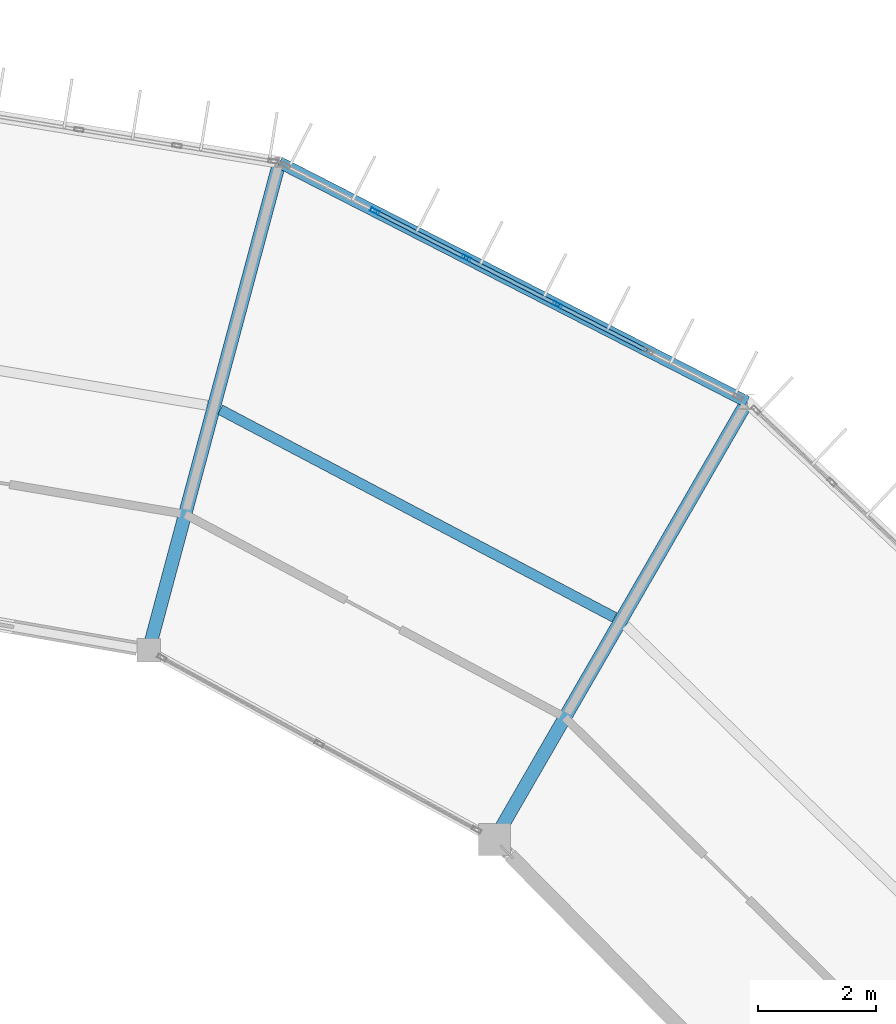
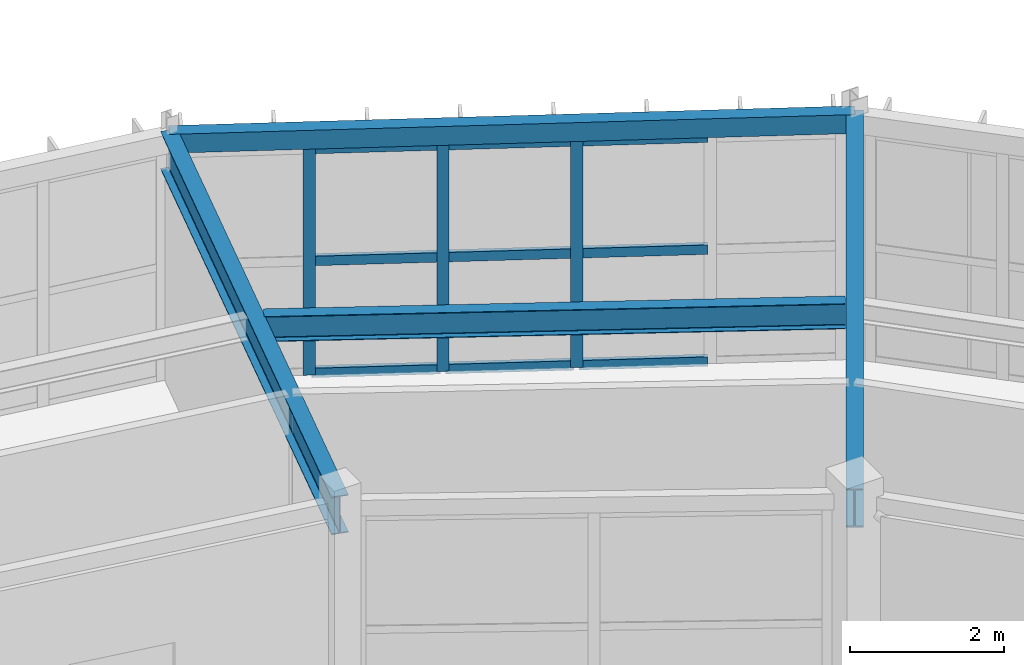
# One storey, part 100 of 157: 12 members, 4 beams, 1 element without a shape of its own.
"""IFC4 building model written with IfcOpenShell, lengths in metres."""

from ifc_helpers import new_model, si_unit, direction, frame, origin, origin_2d, place, context, subcontext, project, spatial, hollow_rectangle, i_section, extrude, material, material_profile, profile_set, type_object, element, aggregate, save


model = new_model("IFC4")

# Units and contexts
model_context = context("Model", 3, precision=1e-05, world=origin(), true_north=direction((0.0, 1.0)))
body_context = subcontext(model_context, "Body", "Model", "MODEL_VIEW")
ifc_project = project(units=[si_unit("LENGTHUNIT", "METRE"), si_unit("AREAUNIT", "SQUARE_METRE"), si_unit("VOLUMEUNIT", "CUBIC_METRE"), si_unit("PLANEANGLEUNIT", "RADIAN"), si_unit("MASSUNIT", "GRAM", prefix="KILO")], contexts=[model_context])

# Site, building, storey
site_placement = place(None, origin())
site = spatial("IfcSite", under=ifc_project, at=site_placement, CompositionType="ELEMENT")
building_placement = place(site_placement, origin())
building = spatial("IfcBuilding", under=site, at=building_placement, Name="Karori Crest Natural Sciences Institute", CompositionType="ELEMENT")
storey_placement = place(building_placement, frame((0.0, 0.0, 13.300048828125)))
storey = spatial("IfcBuildingStorey", under=building, at=storey_placement, Name="L03", CompositionType="ELEMENT", Elevation=13.300048828125)

# Beams
ifc_material_1 = material(Name="Structural steel AS/NZS 3679.1 Grade 350", Category="steel")
ifc_material_profile_1 = material_profile(ifc_material_1, i_section(OverallWidth=0.22900390625, OverallDepth=0.612060546875, WebThickness=0.011962890625, FlangeThickness=0.01953125, FilletRadius=0.013916015625, at=origin_2d()), Name="610UB125")
ifc_profile_set_1 = profile_set([ifc_material_profile_1], Name="Structural steel AS/NZS 3679.1 Grade 350")
beam_type_1 = type_object("IfcBeamType", Name="BT-04", PredefinedType="BEAM", material=ifc_profile_set_1)
beam_1_placement = place(storey_placement, frame((78.60009765625, 77.785888671875, 3.634033203125), z_axis=(0.499973925258, 0.86604045752, 0.0), x_axis=(-0.86604045752, 0.499973925258, 0.0)))
element("IfcBeam", 1, at=beam_1_placement, inside=storey, type_object=beam_type_1, Name="Beam B-0377", PredefinedType="BEAM", context=body_context, shape_type="SweptSolid", body=[
    extrude(i_section(OverallWidth=0.22900390625, OverallDepth=0.612060546875, WebThickness=0.011962890625, FlangeThickness=0.01953125, FilletRadius=0.013916015625, at=origin_2d()), origin(), (0.0, 0.0, 1.0), 8.60009765625),
])
ifc_material_2 = material(Name="Hollow structural steel AS/NZS 1163 Grade C350", Category="steel")
ifc_material_profile_2 = material_profile(ifc_material_2, hollow_rectangle(XDim=0.199951171875, YDim=0.300048828125, WallThickness=0.010009765625, at=origin_2d()), Name="RHS300x200x10")
ifc_profile_set_2 = profile_set([ifc_material_profile_2], Name="Hollow structural steel AS/NZS 1163 Grade C350")
beam_type_2 = type_object("IfcBeamType", Name="BT-15", PredefinedType="SPANDREL", material=ifc_profile_set_2)
beam_2_placement = place(storey_placement, frame((82.89990234375, 85.23388671875, 3.7900390625), z_axis=(-0.890071733872, 0.455820478436, 0.0), x_axis=(-0.455820478436, -0.890071733872, 0.0)))
element("IfcBeam", 2, at=beam_2_placement, inside=storey, type_object=beam_type_2, Name="Beam B-0375", PredefinedType="SPANDREL", context=body_context, shape_type="SweptSolid", body=[
    extrude(hollow_rectangle(XDim=0.199951171875, YDim=0.300048828125, WallThickness=0.010009765625, at=origin_2d()), origin(), (0.0, 0.0, 1.0), 8.94189453125),
])
ifc_material_profile_3 = material_profile(ifc_material_1, i_section(OverallWidth=0.22802734375, OverallDepth=0.60205078125, WebThickness=0.010498046875, FlangeThickness=0.014892578125, FilletRadius=0.013916015625, at=origin_2d()), Name="610UB101")
ifc_profile_set_3 = profile_set([ifc_material_profile_3], Name="Structural steel AS/NZS 3679.1 Grade 350")
beam_type_3 = type_object("IfcBeamType", Name="BT-27", PredefinedType="BEAM", material=ifc_profile_set_3)
beam_3_placement = place(storey_placement, frame((72.715087890625, 81.002685546875, 3.638916015625), z_axis=(0.258812709002, 0.96592752402, 0.0), x_axis=(-0.96592752402, 0.258812709002, 0.0)))
element("IfcBeam", 3, at=beam_3_placement, inside=storey, type_object=beam_type_3, Name="Beam B-0381", PredefinedType="BEAM", context=body_context, shape_type="SweptSolid", body=[
    extrude(i_section(OverallWidth=0.22802734375, OverallDepth=0.60205078125, WebThickness=0.010498046875, FlangeThickness=0.014892578125, FilletRadius=0.013916015625, at=origin_2d()), origin(), (0.0, 0.0, 1.0), 8.60009765625),
])
ifc_material_profile_4 = material_profile(ifc_material_1, i_section(OverallWidth=0.177978515625, OverallDepth=0.403076171875, WebThickness=0.007568359375, FlangeThickness=0.010986328125, FilletRadius=0.010986328125, at=origin_2d()), Name="410UB53.7")
ifc_profile_set_4 = profile_set([ifc_material_profile_4], Name="Structural steel AS/NZS 3679.1 Grade 350")
beam_type_4 = type_object("IfcBeamType", Name="BT-29", PredefinedType="BEAM", material=ifc_profile_set_4)
beam_4_placement = place(storey_placement, frame((80.643798828125, 81.56591796875, 3.738525390625), z_axis=(-0.884748465601, 0.466068828197, 0.0), x_axis=(-0.466068828197, -0.884748465601, 0.0)))
element("IfcBeam", 4, at=beam_4_placement, inside=storey, type_object=beam_type_4, Name="Beam B-0378", PredefinedType="BEAM", context=body_context, shape_type="SweptSolid", body=[
    extrude(i_section(OverallWidth=0.177978515625, OverallDepth=0.403076171875, WebThickness=0.007568359375, FlangeThickness=0.010986328125, FilletRadius=0.010986328125, at=origin_2d()), origin(), (0.0, 0.0, 1.0), 7.58349609375),
])

# Curtain wall, members
ifc_material_3 = material(Name="Anodised architectural aluminium 6063-T6", Category="aluminium")
curtain_wall_type = type_object("IfcCurtainWallType", Name="CWT-05", PredefinedType="NOTDEFINED", material=ifc_material_3)
curtain_wall_placement = place(storey_placement, origin())
curtain_wall = element("IfcCurtainWall", 5, at=curtain_wall_placement, inside=storey, type_object=curtain_wall_type, Name="Curtain wall CW-0106", PredefinedType="NOTDEFINED")
ifc_material_profile_5 = material_profile(ifc_material_3, hollow_rectangle(XDim=0.06494140625, YDim=0.159912109375, WallThickness=0.00390625, at=origin_2d()), Name="CWM160x65x4")
ifc_profile_set_5 = profile_set([ifc_material_profile_5], Name="Anodised architectural aluminium 6063-T6")
member_type_1 = type_object("IfcMemberType", Name="CWM-01", PredefinedType="MULLION", material=ifc_profile_set_5)
member_1_placement = place(storey_placement, frame((76.56787109375, 88.4765625, 0.0), z_axis=(0.0, 0.0, 1.0), x_axis=(0.455828878252, 0.890067432138, 0.0)))
member_1 = element("IfcMember", 6, at=member_1_placement, type_object=member_type_1, Name="CW-0106 mullion 2", PredefinedType="MULLION", context=body_context, shape_type="SweptSolid", body=[
    extrude(hollow_rectangle(XDim=0.06494140625, YDim=0.159912109375, WallThickness=0.00390625, at=origin_2d()), origin(), (0.0, 0.0, 1.0), 3.625),
])
member_2_placement = place(storey_placement, frame((78.11962890625, 87.681884765625, 0.0), z_axis=(0.0, 0.0, 1.0), x_axis=(0.455828878252, 0.890067432138, 0.0)))
member_2 = element("IfcMember", 7, at=member_2_placement, type_object=member_type_1, Name="CW-0106 mullion 3", PredefinedType="MULLION", context=body_context, shape_type="SweptSolid", body=[
    extrude(hollow_rectangle(XDim=0.06494140625, YDim=0.159912109375, WallThickness=0.00390625, at=origin_2d()), origin(), (0.0, 0.0, 1.0), 3.625),
])
member_3_placement = place(storey_placement, frame((79.67138671875, 86.88720703125, 0.0), z_axis=(0.0, 0.0, 1.0), x_axis=(0.455828878252, 0.890067432138, 0.0)))
member_3 = element("IfcMember", 8, at=member_3_placement, type_object=member_type_1, Name="CW-0106 mullion 4", PredefinedType="MULLION", context=body_context, shape_type="SweptSolid", body=[
    extrude(hollow_rectangle(XDim=0.06494140625, YDim=0.159912109375, WallThickness=0.00390625, at=origin_2d()), origin(), (0.0, 0.0, 1.0), 3.625),
])
ifc_material_profile_6 = material_profile(ifc_material_3, hollow_rectangle(XDim=0.06494140625, YDim=0.14990234375, WallThickness=0.00390625, at=origin_2d()), Name="CWT150x65x4")
ifc_profile_set_6 = profile_set([ifc_material_profile_6], Name="Anodised architectural aluminium 6063-T6")
member_type_2 = type_object("IfcMemberType", Name="CWT-TR2", PredefinedType="USERDEFINED", material=ifc_profile_set_6)
member_4_placement = place(storey_placement, frame((76.596923828125, 88.4619140625, 0.032470703125), z_axis=(0.890050562189, -0.455861817601, 0.0), x_axis=(0.455861817601, 0.890050562189, 0.0)))
member_4 = element("IfcMember", 9, at=member_4_placement, type_object=member_type_2, Name="CW-0106 transom 2.1", ObjectType="TRANSOM", PredefinedType="USERDEFINED", context=body_context, shape_type="SweptSolid", body=[
    extrude(hollow_rectangle(XDim=0.06494140625, YDim=0.14990234375, WallThickness=0.00390625, at=origin_2d()), origin(), (0.0, 0.0, 1.0), 1.678466796875),
])
member_5_placement = place(storey_placement, frame((76.596923828125, 88.4619140625, 1.8125), z_axis=(0.890050562189, -0.455861817601, 0.0), x_axis=(0.455861817601, 0.890050562189, 0.0)))
member_5 = element("IfcMember", 10, at=member_5_placement, type_object=member_type_2, Name="CW-0106 transom 2.2", ObjectType="TRANSOM", PredefinedType="USERDEFINED", context=body_context, shape_type="SweptSolid", body=[
    extrude(hollow_rectangle(XDim=0.06494140625, YDim=0.14990234375, WallThickness=0.00390625, at=origin_2d()), origin(), (0.0, 0.0, 1.0), 1.678466796875),
])
member_6_placement = place(storey_placement, frame((76.596923828125, 88.4619140625, 3.592529296875), z_axis=(0.890050562189, -0.455861817601, 0.0), x_axis=(0.455861817601, 0.890050562189, 0.0)))
member_6 = element("IfcMember", 11, at=member_6_placement, type_object=member_type_2, Name="CW-0106 transom 2.3", ObjectType="TRANSOM", PredefinedType="USERDEFINED", context=body_context, shape_type="SweptSolid", body=[
    extrude(hollow_rectangle(XDim=0.06494140625, YDim=0.14990234375, WallThickness=0.00390625, at=origin_2d()), origin(), (0.0, 0.0, 1.0), 1.678466796875),
])
member_7_placement = place(storey_placement, frame((78.148681640625, 87.667236328125, 0.032470703125), z_axis=(0.890020328927, -0.455920841919, 0.0), x_axis=(0.455920841919, 0.890020328927, 0.0)))
member_7 = element("IfcMember", 12, at=member_7_placement, type_object=member_type_2, Name="CW-0106 transom 3.1", ObjectType="TRANSOM", PredefinedType="USERDEFINED", context=body_context, shape_type="SweptSolid", body=[
    extrude(hollow_rectangle(XDim=0.06494140625, YDim=0.14990234375, WallThickness=0.00390625, at=origin_2d()), origin(), (0.0, 0.0, 1.0), 1.67822265625),
])
member_8_placement = place(storey_placement, frame((78.148681640625, 87.667236328125, 1.8125), z_axis=(0.890020328927, -0.455920841919, 0.0), x_axis=(0.455920841919, 0.890020328927, 0.0)))
member_8 = element("IfcMember", 13, at=member_8_placement, type_object=member_type_2, Name="CW-0106 transom 3.2", ObjectType="TRANSOM", PredefinedType="USERDEFINED", context=body_context, shape_type="SweptSolid", body=[
    extrude(hollow_rectangle(XDim=0.06494140625, YDim=0.14990234375, WallThickness=0.00390625, at=origin_2d()), origin(), (0.0, 0.0, 1.0), 1.67822265625),
])
member_9_placement = place(storey_placement, frame((78.148681640625, 87.667236328125, 3.592529296875), z_axis=(0.890020328927, -0.455920841919, 0.0), x_axis=(0.455920841919, 0.890020328927, 0.0)))
member_9 = element("IfcMember", 14, at=member_9_placement, type_object=member_type_2, Name="CW-0106 transom 3.3", ObjectType="TRANSOM", PredefinedType="USERDEFINED", context=body_context, shape_type="SweptSolid", body=[
    extrude(hollow_rectangle(XDim=0.06494140625, YDim=0.14990234375, WallThickness=0.00390625, at=origin_2d()), origin(), (0.0, 0.0, 1.0), 1.67822265625),
])
member_10_placement = place(storey_placement, frame((79.7001953125, 86.87255859375, 0.032470703125), z_axis=(0.890050562189, -0.455861817601, 0.0), x_axis=(0.455861817601, 0.890050562189, 0.0)))
member_10 = element("IfcMember", 15, at=member_10_placement, type_object=member_type_2, Name="CW-0106 transom 4.1", ObjectType="TRANSOM", PredefinedType="USERDEFINED", context=body_context, shape_type="SweptSolid", body=[
    extrude(hollow_rectangle(XDim=0.06494140625, YDim=0.14990234375, WallThickness=0.00390625, at=origin_2d()), origin(), (0.0, 0.0, 1.0), 1.678466796875),
])
member_11_placement = place(storey_placement, frame((79.7001953125, 86.87255859375, 1.8125), z_axis=(0.890050562189, -0.455861817601, 0.0), x_axis=(0.455861817601, 0.890050562189, 0.0)))
member_11 = element("IfcMember", 16, at=member_11_placement, type_object=member_type_2, Name="CW-0106 transom 4.2", ObjectType="TRANSOM", PredefinedType="USERDEFINED", context=body_context, shape_type="SweptSolid", body=[
    extrude(hollow_rectangle(XDim=0.06494140625, YDim=0.14990234375, WallThickness=0.00390625, at=origin_2d()), origin(), (0.0, 0.0, 1.0), 1.678466796875),
])
member_12_placement = place(storey_placement, frame((79.7001953125, 86.87255859375, 3.592529296875), z_axis=(0.890050562189, -0.455861817601, 0.0), x_axis=(0.455861817601, 0.890050562189, 0.0)))
member_12 = element("IfcMember", 17, at=member_12_placement, type_object=member_type_2, Name="CW-0106 transom 4.3", ObjectType="TRANSOM", PredefinedType="USERDEFINED", context=body_context, shape_type="SweptSolid", body=[
    extrude(hollow_rectangle(XDim=0.06494140625, YDim=0.14990234375, WallThickness=0.00390625, at=origin_2d()), origin(), (0.0, 0.0, 1.0), 1.678466796875),
])
aggregate(curtain_wall, [member_1, member_2, member_3, member_4, member_5, member_6, member_7, member_8, member_9, member_10, member_11, member_12])

save(model, "model.ifc")
